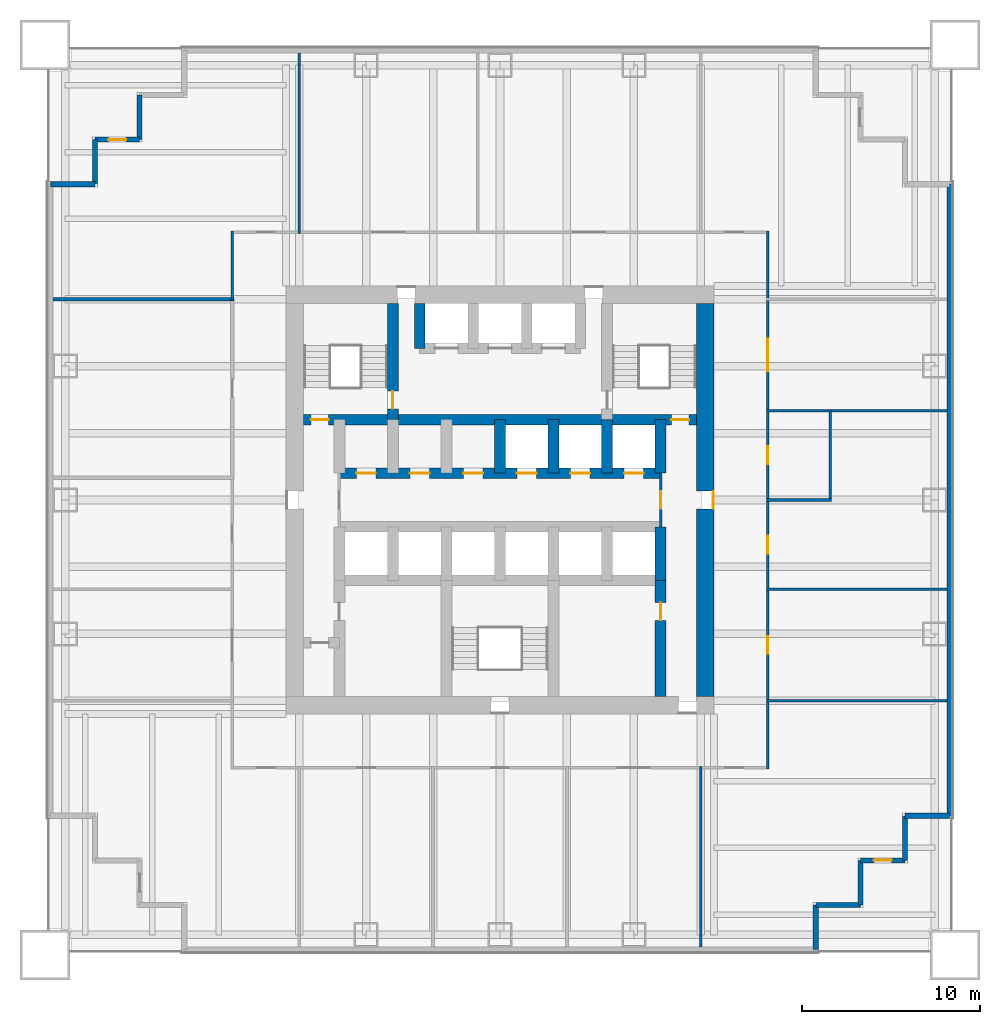
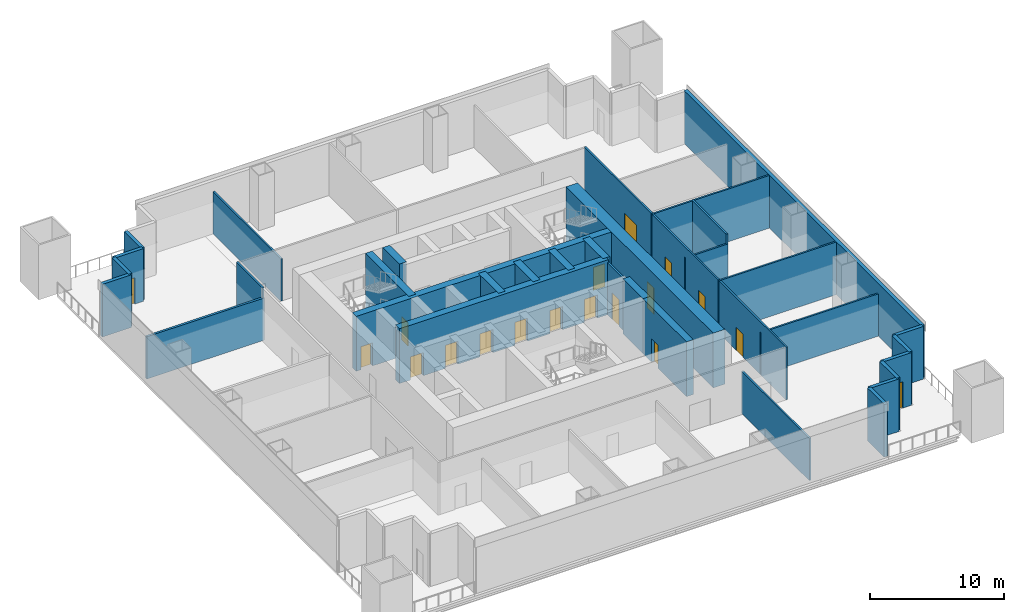
# One storey, part 3 of 6: 33 walls, 18 doors, 18 openings.
"""IFC4 building model written with IfcOpenShell, lengths in metres."""

from ifc_helpers import new_model, si_unit, direction, frame, frame_2d, origin, place, context, subcontext, project, spatial, rectangle, extrude, material, layer, layer_set, type_object, element, fill, save


model = new_model("IFC4")

# Units and contexts
model_context = context("Model", 3, precision=1e-05, world=origin(), true_north=direction((0.0, 1.0)))
body_context = subcontext(model_context, "Body", "Model", "MODEL_VIEW")
ifc_project = project(units=[si_unit("LENGTHUNIT", "METRE"), si_unit("AREAUNIT", "SQUARE_METRE"), si_unit("VOLUMEUNIT", "CUBIC_METRE"), si_unit("PLANEANGLEUNIT", "RADIAN"), si_unit("MASSUNIT", "GRAM", prefix="KILO")], contexts=[model_context])

# Site, building, storey
site_placement = place(None, origin())
site = spatial("IfcSite", under=ifc_project, at=site_placement, CompositionType="ELEMENT")
building_placement = place(site_placement, origin())
building = spatial("IfcBuilding", under=site, at=building_placement, Name="Tarangal Relay Tower", CompositionType="ELEMENT")
storey_placement = place(building_placement, frame((0.0, 0.0, 88.39990234375)))
storey = spatial("IfcBuildingStorey", under=building, at=storey_placement, Name="L17", CompositionType="ELEMENT", Elevation=88.39990234375)

# Wall
ifc_material_1 = material(Name="Two layers gypsum board each side on twin steel studs, mineral wool", Category="steel")
ifc_layer_1 = layer(ifc_material_1, 0.199951171875)
ifc_layer_set_1 = layer_set([ifc_layer_1], Name="Acoustic partition 200")
wall_type_1 = type_object("IfcWallType", Name="Acoustic partition 200", PredefinedType="PARTITIONING", material=ifc_layer_set_1)
wall_1_placement = place(storey_placement, frame((-25.050048828125, 11.25, 0.0), z_axis=(0.0, 0.0, 1.0), x_axis=(1.0, 0.0, 0.0)))
element("IfcWall", 1, at=wall_1_placement, inside=storey, type_object=wall_type_1, Name="Partition PT2 L17", PredefinedType="PARTITIONING", context=body_context, shape_type="SweptSolid", body=[
    extrude(rectangle(XDim=10.150146484375, YDim=0.199951171875, at=frame_2d((5.0751953125, 0.0))), origin(), (0.0, 0.0, 1.0), 3.852783203125),
])

# Wall, openings, doors
ifc_material_2 = material(Name="Concrete fc' 60 MPa", Category="concrete")
ifc_layer_2 = layer(ifc_material_2, 0.60009765625)
ifc_layer_set_2 = layer_set([ifc_layer_2], Name="Core inner wall 600")
wall_type_2 = type_object("IfcWallType", Name="Core inner wall 600", PredefinedType="SHEAR", material=ifc_layer_set_2)
wall_2_placement = place(storey_placement, frame((-11.0, 4.5, 0.0), z_axis=(0.0, 0.0, 1.0), x_axis=(1.0, 0.0, 0.0)))
wall_2 = element("IfcWall", 2, at=wall_2_placement, inside=storey, type_object=wall_type_2, Name="Core wall Y45 L17", PredefinedType="SHEAR", context=body_context, shape_type="SweptSolid", body=[
    extrude(rectangle(XDim=22.0, YDim=0.60009765625, at=frame_2d((11.0, 0.0))), origin(), (0.0, 0.0, 1.0), 5.0),
])
opening_1_placement = place(wall_2_placement, frame((0.39990234375, 0.0, 0.0)))
opening_1 = element("IfcOpeningElement", 3, at=opening_1_placement, cuts=wall_2, Name="Opening FD1", PredefinedType="OPENING", context=body_context, shape_type="SweptSolid", body=[
    extrude(rectangle(XDim=1.0, YDim=2.10009765625, at=frame_2d((0.5, 1.050048828125))), frame((0.0, 0.31005859375, 0.0), z_axis=(0.0, -1.0, 0.0), x_axis=(1.0, 0.0, 0.0)), (0.0, 0.0, 1.0), 0.6201171875),
])
opening_2_placement = place(wall_2_placement, frame((20.60009765625, 0.0, 0.0)))
opening_2 = element("IfcOpeningElement", 4, at=opening_2_placement, cuts=wall_2, Name="Opening FD1", PredefinedType="OPENING", context=body_context, shape_type="SweptSolid", body=[
    extrude(rectangle(XDim=1.0, YDim=2.10009765625, at=frame_2d((0.5, 1.050048828125))), frame((0.0, 0.31005859375, 0.0), z_axis=(0.0, -1.0, 0.0), x_axis=(1.0, 0.0, 0.0)), (0.0, 0.0, 1.0), 0.6201171875),
])
ifc_material_3 = material(Name="Steel door with hardwood frame", Category="steel")
door_type_1 = type_object("IfcDoorType", Name="Fire door 1000 x 2100", OperationType="SINGLE_SWING_LEFT", PredefinedType="DOOR", material=ifc_material_3)
door_1_placement = place(opening_1_placement, origin())
door_1 = element("IfcDoor", 5, at=door_1_placement, inside=storey, type_object=door_type_1, Name="Stair ST-A door from corridor L17", OperationType="SINGLE_SWING_LEFT", OverallHeight=2.10009765625, OverallWidth=1.0, PredefinedType="DOOR", context=body_context, shape_type="SweptSolid", body=[
    extrude(rectangle(XDim=1.0, YDim=2.10009765625, at=frame_2d((0.5, 1.050048828125))), frame((0.0, 0.02490234375, 0.0), z_axis=(0.0, -1.0, 0.0), x_axis=(1.0, 0.0, 0.0)), (0.0, 0.0, 1.0), 0.050048828125),
])
fill(opening_1, door_1)
door_2_placement = place(opening_2_placement, origin())
door_2 = element("IfcDoor", 6, at=door_2_placement, inside=storey, type_object=door_type_1, Name="Stair ST-B door from corridor L17", OperationType="SINGLE_SWING_LEFT", OverallHeight=2.10009765625, OverallWidth=1.0, PredefinedType="DOOR", context=body_context, shape_type="SweptSolid", body=[
    extrude(rectangle(XDim=1.0, YDim=2.10009765625, at=frame_2d((0.5, 1.050048828125))), frame((0.0, 0.02490234375, 0.0), z_axis=(0.0, -1.0, 0.0), x_axis=(1.0, 0.0, 0.0)), (0.0, 0.0, 1.0), 0.050048828125),
])
fill(opening_2, door_2)

wall_3_placement = place(storey_placement, frame((-9.0, 1.5, 0.0), z_axis=(0.0, 0.0, 1.0), x_axis=(1.0, 0.0, 0.0)))
wall_3 = element("IfcWall", 7, at=wall_3_placement, inside=storey, type_object=wall_type_2, Name="Core wall Y15 L17", PredefinedType="SHEAR", context=body_context, shape_type="SweptSolid", body=[
    extrude(rectangle(XDim=18.0, YDim=0.60009765625, at=frame_2d((9.0, 0.0))), origin(), (0.0, 0.0, 1.0), 5.0),
])
opening_3_placement = place(wall_3_placement, frame((9.949951171875, 0.0, 0.0)))
opening_3 = element("IfcOpeningElement", 8, at=opening_3_placement, cuts=wall_3, Name="Opening LD1", PredefinedType="OPENING", context=body_context, shape_type="SweptSolid", body=[
    extrude(rectangle(XDim=1.10009765625, YDim=2.10009765625, at=frame_2d((0.550048828125, 1.050048828125))), frame((0.0, 0.31005859375, 0.0), z_axis=(0.0, -1.0, 0.0), x_axis=(1.0, 0.0, 0.0)), (0.0, 0.0, 1.0), 0.6201171875),
])
opening_4_placement = place(wall_3_placement, frame((12.949951171875, 0.0, 0.0)))
opening_4 = element("IfcOpeningElement", 9, at=opening_4_placement, cuts=wall_3, Name="Opening LD1", PredefinedType="OPENING", context=body_context, shape_type="SweptSolid", body=[
    extrude(rectangle(XDim=1.10009765625, YDim=2.10009765625, at=frame_2d((0.550048828125, 1.050048828125))), frame((0.0, 0.31005859375, 0.0), z_axis=(0.0, -1.0, 0.0), x_axis=(1.0, 0.0, 0.0)), (0.0, 0.0, 1.0), 0.6201171875),
])
opening_5_placement = place(wall_3_placement, frame((15.949951171875, 0.0, 0.0)))
opening_5 = element("IfcOpeningElement", 10, at=opening_5_placement, cuts=wall_3, Name="Opening LD1", PredefinedType="OPENING", context=body_context, shape_type="SweptSolid", body=[
    extrude(rectangle(XDim=1.10009765625, YDim=2.10009765625, at=frame_2d((0.550048828125, 1.050048828125))), frame((0.0, 0.31005859375, 0.0), z_axis=(0.0, -1.0, 0.0), x_axis=(1.0, 0.0, 0.0)), (0.0, 0.0, 1.0), 0.6201171875),
])
opening_6_placement = place(wall_3_placement, frame((0.949951171875, 0.0, 0.0)))
opening_6 = element("IfcOpeningElement", 11, at=opening_6_placement, cuts=wall_3, Name="Opening D4", PredefinedType="OPENING", context=body_context, shape_type="SweptSolid", body=[
    extrude(rectangle(XDim=1.10009765625, YDim=2.10009765625, at=frame_2d((0.550048828125, 1.050048828125))), frame((0.0, 0.31005859375, 0.0), z_axis=(0.0, -1.0, 0.0), x_axis=(1.0, 0.0, 0.0)), (0.0, 0.0, 1.0), 0.6201171875),
])
opening_7_placement = place(wall_3_placement, frame((3.949951171875, 0.0, 0.0)))
opening_7 = element("IfcOpeningElement", 12, at=opening_7_placement, cuts=wall_3, Name="Opening D4", PredefinedType="OPENING", context=body_context, shape_type="SweptSolid", body=[
    extrude(rectangle(XDim=1.10009765625, YDim=2.10009765625, at=frame_2d((0.550048828125, 1.050048828125))), frame((0.0, 0.31005859375, 0.0), z_axis=(0.0, -1.0, 0.0), x_axis=(1.0, 0.0, 0.0)), (0.0, 0.0, 1.0), 0.6201171875),
])
opening_8_placement = place(wall_3_placement, frame((6.949951171875, 0.0, 0.0)))
opening_8 = element("IfcOpeningElement", 13, at=opening_8_placement, cuts=wall_3, Name="Opening D4", PredefinedType="OPENING", context=body_context, shape_type="SweptSolid", body=[
    extrude(rectangle(XDim=1.10009765625, YDim=2.10009765625, at=frame_2d((0.550048828125, 1.050048828125))), frame((0.0, 0.31005859375, 0.0), z_axis=(0.0, -1.0, 0.0), x_axis=(1.0, 0.0, 0.0)), (0.0, 0.0, 1.0), 0.6201171875),
])
door_type_2 = type_object("IfcDoorType", Name="Core room door 1100 x 2100", OperationType="SINGLE_SWING_RIGHT", PredefinedType="DOOR", material=ifc_material_3)
door_3_placement = place(opening_6_placement, origin())
door_3 = element("IfcDoor", 14, at=door_3_placement, inside=storey, type_object=door_type_2, Name="Door D4 to staff wc L17-D1", OperationType="SINGLE_SWING_RIGHT", OverallHeight=2.10009765625, OverallWidth=1.10009765625, PredefinedType="DOOR", context=body_context, shape_type="SweptSolid", body=[
    extrude(rectangle(XDim=1.10009765625, YDim=2.10009765625, at=frame_2d((0.550048828125, 1.050048828125))), frame((0.0, 0.02490234375, 0.0), z_axis=(0.0, -1.0, 0.0), x_axis=(1.0, 0.0, 0.0)), (0.0, 0.0, 1.0), 0.050048828125),
])
fill(opening_6, door_3)
door_4_placement = place(opening_7_placement, origin())
door_4 = element("IfcDoor", 15, at=door_4_placement, inside=storey, type_object=door_type_2, Name="Door D4 to cleaner's store L17-D2", OperationType="SINGLE_SWING_RIGHT", OverallHeight=2.10009765625, OverallWidth=1.10009765625, PredefinedType="DOOR", context=body_context, shape_type="SweptSolid", body=[
    extrude(rectangle(XDim=1.10009765625, YDim=2.10009765625, at=frame_2d((0.550048828125, 1.050048828125))), frame((0.0, 0.02490234375, 0.0), z_axis=(0.0, -1.0, 0.0), x_axis=(1.0, 0.0, 0.0)), (0.0, 0.0, 1.0), 0.050048828125),
])
fill(opening_7, door_4)
door_5_placement = place(opening_8_placement, origin())
door_5 = element("IfcDoor", 16, at=door_5_placement, inside=storey, type_object=door_type_2, Name="Door D4 to it room L17-D3", OperationType="SINGLE_SWING_RIGHT", OverallHeight=2.10009765625, OverallWidth=1.10009765625, PredefinedType="DOOR", context=body_context, shape_type="SweptSolid", body=[
    extrude(rectangle(XDim=1.10009765625, YDim=2.10009765625, at=frame_2d((0.550048828125, 1.050048828125))), frame((0.0, 0.02490234375, 0.0), z_axis=(0.0, -1.0, 0.0), x_axis=(1.0, 0.0, 0.0)), (0.0, 0.0, 1.0), 0.050048828125),
])
fill(opening_8, door_5)
door_type_3 = type_object("IfcDoorType", Name="Lift landing door 1100 x 2100", OperationType="SLIDING_TO_LEFT", PredefinedType="DOOR", material=ifc_material_3)
door_6_placement = place(opening_3_placement, origin())
door_6 = element("IfcDoor", 17, at=door_6_placement, inside=storey, type_object=door_type_3, Name="Lift T1 landing door L17", OperationType="SLIDING_TO_LEFT", OverallHeight=2.10009765625, OverallWidth=1.10009765625, PredefinedType="DOOR", context=body_context, shape_type="SweptSolid", body=[
    extrude(rectangle(XDim=1.10009765625, YDim=2.10009765625, at=frame_2d((0.550048828125, 1.050048828125))), frame((0.0, 0.02490234375, 0.0), z_axis=(0.0, -1.0, 0.0), x_axis=(1.0, 0.0, 0.0)), (0.0, 0.0, 1.0), 0.050048828125),
])
fill(opening_3, door_6)
door_7_placement = place(opening_4_placement, origin())
door_7 = element("IfcDoor", 18, at=door_7_placement, inside=storey, type_object=door_type_3, Name="Lift T2 landing door L17", OperationType="SLIDING_TO_LEFT", OverallHeight=2.10009765625, OverallWidth=1.10009765625, PredefinedType="DOOR", context=body_context, shape_type="SweptSolid", body=[
    extrude(rectangle(XDim=1.10009765625, YDim=2.10009765625, at=frame_2d((0.550048828125, 1.050048828125))), frame((0.0, 0.02490234375, 0.0), z_axis=(0.0, -1.0, 0.0), x_axis=(1.0, 0.0, 0.0)), (0.0, 0.0, 1.0), 0.050048828125),
])
fill(opening_4, door_7)
door_8_placement = place(opening_5_placement, origin())
door_8 = element("IfcDoor", 19, at=door_8_placement, inside=storey, type_object=door_type_3, Name="Lift T3 landing door L17", OperationType="SLIDING_TO_LEFT", OverallHeight=2.10009765625, OverallWidth=1.10009765625, PredefinedType="DOOR", context=body_context, shape_type="SweptSolid", body=[
    extrude(rectangle(XDim=1.10009765625, YDim=2.10009765625, at=frame_2d((0.550048828125, 1.050048828125))), frame((0.0, 0.02490234375, 0.0), z_axis=(0.0, -1.0, 0.0), x_axis=(1.0, 0.0, 0.0)), (0.0, 0.0, 1.0), 0.050048828125),
])
fill(opening_5, door_8)

# Walls
for number, where, z_axis, x_axis, name in (
    (20, (9.0, 1.5, 0.0), (0.0, 0.0, 1.0), (0.0, 1.0, 0.0), "Core wall X9N L17"),
    (21, (9.0, -4.5, 0.0), (0.0, 0.0, 1.0), (0.0, 1.0, 0.0), "Core wall X9S L17"),
    (22, (0.0, 1.5, 0.0), (0.0, 0.0, 1.0), (0.0, 1.0, 0.0), "Core wall X0N L17"),
    (23, (3.0, 1.5, 0.0), (0.0, 0.0, 1.0), (0.0, 1.0, 0.0), "Core wall X3N L17"),
    (24, (6.0, 1.5, 0.0), (0.0, 0.0, 1.0), (0.0, 1.0, 0.0), "Core wall X6N L17"),
):
    element("IfcWall", number, at=place(storey_placement, frame(where, z_axis=z_axis, x_axis=x_axis)), inside=storey, type_object=wall_type_2, Name=name, PredefinedType="SHEAR", context=body_context, shape_type="SweptSolid", body=[
        extrude(rectangle(XDim=3.0, YDim=0.60009765625, at=frame_2d((1.5, 0.0))), origin(), (0.0, 0.0, 1.0), 5.0),
    ])

# Wall, opening, door
wall_4_placement = place(storey_placement, frame((-6.0, 4.5, 0.0), z_axis=(0.0, 0.0, 1.0), x_axis=(0.0, 1.0, 0.0)))
wall_4 = element("IfcWall", 25, at=wall_4_placement, inside=storey, type_object=wall_type_2, Name="Core wall XM6 L17", PredefinedType="SHEAR", context=body_context, shape_type="SweptSolid", body=[
    extrude(rectangle(XDim=6.5, YDim=0.60009765625, at=frame_2d((3.25, 0.0))), origin(), (0.0, 0.0, 1.0), 5.0),
])
opening_9_placement = place(wall_4_placement, frame((0.60009765625, 0.0, 0.0)))
opening_9 = element("IfcOpeningElement", 26, at=opening_9_placement, cuts=wall_4, Name="Opening FD1", PredefinedType="OPENING", context=body_context, shape_type="SweptSolid", body=[
    extrude(rectangle(XDim=1.0, YDim=2.10009765625, at=frame_2d((0.5, 1.050048828125))), frame((0.0, 0.31005859375, 0.0), z_axis=(0.0, -1.0, 0.0), x_axis=(1.0, 0.0, 0.0)), (0.0, 0.0, 1.0), 0.6201171875),
])
door_9_placement = place(opening_9_placement, origin())
door_9 = element("IfcDoor", 27, at=door_9_placement, inside=storey, type_object=door_type_1, Name="Stair ST-A door from fire-fighting lobby L17", OperationType="SINGLE_SWING_LEFT", OverallHeight=2.10009765625, OverallWidth=1.0, PredefinedType="DOOR", context=body_context, shape_type="SweptSolid", body=[
    extrude(rectangle(XDim=1.0, YDim=2.10009765625, at=frame_2d((0.5, 1.050048828125))), frame((0.0, 0.02490234375, 0.0), z_axis=(0.0, -1.0, 0.0), x_axis=(1.0, 0.0, 0.0)), (0.0, 0.0, 1.0), 0.050048828125),
])
fill(opening_9, door_9)

# Wall
wall_5_placement = place(storey_placement, frame((-4.5, 8.5, 0.0), z_axis=(0.0, 0.0, 1.0), x_axis=(0.0, 1.0, 0.0)))
element("IfcWall", 28, at=wall_5_placement, inside=storey, type_object=wall_type_2, Name="Core wall XM45 L17", PredefinedType="SHEAR", context=body_context, shape_type="SweptSolid", body=[
    extrude(rectangle(XDim=2.5, YDim=0.60009765625, at=frame_2d((1.25, 0.0))), origin(), (0.0, 0.0, 1.0), 5.0),
])

# Wall, opening, door
wall_6_placement = place(storey_placement, frame((9.0, -11.0, 0.0), z_axis=(0.0, 0.0, 1.0), x_axis=(0.0, 1.0, 0.0)))
wall_6 = element("IfcWall", 29, at=wall_6_placement, inside=storey, type_object=wall_type_2, Name="Core wall X9W L17", PredefinedType="SHEAR", context=body_context, shape_type="SweptSolid", body=[
    extrude(rectangle(XDim=6.5, YDim=0.60009765625, at=frame_2d((3.25, 0.0))), origin(), (0.0, 0.0, 1.0), 5.0),
])
opening_10_placement = place(wall_6_placement, frame((4.25, 0.0, 0.0)))
opening_10 = element("IfcOpeningElement", 30, at=opening_10_placement, cuts=wall_6, Name="Opening D1", PredefinedType="OPENING", context=body_context, shape_type="SweptSolid", body=[
    extrude(rectangle(XDim=1.0, YDim=2.10009765625, at=frame_2d((0.5, 1.050048828125))), frame((0.0, 0.31005859375, 0.0), z_axis=(0.0, -1.0, 0.0), x_axis=(1.0, 0.0, 0.0)), (0.0, 0.0, 1.0), 0.6201171875),
])
ifc_material_4 = material(Name="Hardwood door", Category="wood")
door_type_4 = type_object("IfcDoorType", Name="WC door 1000 x 2100", OperationType="SINGLE_SWING_LEFT", PredefinedType="DOOR", material=ifc_material_4)
door_10_placement = place(opening_10_placement, origin())
door_10 = element("IfcDoor", 31, at=door_10_placement, inside=storey, type_object=door_type_4, Name="Female WC door L17", OperationType="SINGLE_SWING_LEFT", OverallHeight=2.10009765625, OverallWidth=1.0, PredefinedType="DOOR", context=body_context, shape_type="SweptSolid", body=[
    extrude(rectangle(XDim=1.0, YDim=2.10009765625, at=frame_2d((0.5, 1.050048828125))), frame((0.0, 0.02490234375, 0.0), z_axis=(0.0, -1.0, 0.0), x_axis=(1.0, 0.0, 0.0)), (0.0, 0.0, 1.0), 0.050048828125),
])
fill(opening_10, door_10)

ifc_layer_3 = layer(ifc_material_2, 1.0)
ifc_layer_set_3 = layer_set([ifc_layer_3], Name="Core wall 1000")
wall_type_3 = type_object("IfcWallType", Name="Core wall 1000", PredefinedType="SHEAR", material=ifc_layer_set_3)
wall_7_placement = place(storey_placement, frame((11.5, 11.0, 0.0), z_axis=(0.0, 0.0, 1.0), x_axis=(0.0, -1.0, 0.0)))
wall_7 = element("IfcWall", 32, at=wall_7_placement, inside=storey, type_object=wall_type_3, Name="Core wall E L17", PredefinedType="SHEAR", context=body_context, shape_type="SweptSolid", body=[
    extrude(rectangle(XDim=22.0, YDim=1.0, at=frame_2d((11.0, 0.0))), origin(), (0.0, 0.0, 1.0), 5.0),
])
opening_11_placement = place(wall_7_placement, frame((10.5, 0.0, 0.0)))
opening_11 = element("IfcOpeningElement", 33, at=opening_11_placement, cuts=wall_7, Name="Opening FD3", PredefinedType="OPENING", context=body_context, shape_type="SweptSolid", body=[
    extrude(rectangle(XDim=1.0, YDim=2.39990234375, at=frame_2d((0.5, 1.199951171875))), frame((0.0, 0.510009765625, 0.0), z_axis=(0.0, -1.0, 0.0), x_axis=(1.0, 0.0, 0.0)), (0.0, 0.0, 1.0), 1.02001953125),
])
door_type_5 = type_object("IfcDoorType", Name="Fire door 1000 x 2400 core entry", OperationType="SINGLE_SWING_RIGHT", PredefinedType="DOOR", material=ifc_material_3)
door_11_placement = place(opening_11_placement, origin())
door_11 = element("IfcDoor", 34, at=door_11_placement, inside=storey, type_object=door_type_5, Name="Core entry door east L17", OperationType="SINGLE_SWING_RIGHT", OverallHeight=2.39990234375, OverallWidth=1.0, PredefinedType="DOOR", context=body_context, shape_type="SweptSolid", body=[
    extrude(rectangle(XDim=1.0, YDim=2.39990234375, at=frame_2d((0.5, 1.199951171875))), frame((0.0, 0.48486328125, 0.0), z_axis=(0.0, -1.0, 0.0), x_axis=(1.0, 0.0, 0.0)), (0.0, 0.0, 1.0), 0.050048828125),
])
fill(opening_11, door_11)

# Walls
ifc_material_5 = material(Name="Insulated precast concrete fc' 40 MPa", Category="concrete")
ifc_layer_4 = layer(ifc_material_5, 0.300048828125)
ifc_layer_set_4 = layer_set([ifc_layer_4], Name="Insulated precast concrete fc' 40 MPa")
wall_type_4 = type_object("IfcWallType", Name="Facade wall precast 300", PredefinedType="SOLIDWALL", material=ifc_layer_set_4)
wall_8_placement = place(storey_placement, frame((25.199951171875, 17.699951171875, 0.0), z_axis=(0.0, 0.0, 1.0), x_axis=(0.0, -1.0, 0.0)))
element("IfcWall", 35, at=wall_8_placement, inside=storey, type_object=wall_type_4, Name="Facade wall E facade L17", PredefinedType="SOLIDWALL", context=body_context, shape_type="SweptSolid", body=[
    extrude(rectangle(XDim=35.39990234375, YDim=0.300048828125, at=frame_2d((17.699951171875, 0.0))), origin(), (0.0, 0.0, 1.0), 4.800048828125),
])
for number, where, z_axis, x_axis, name in (
    (36, (25.199951171875, -17.699951171875, 0.0), (0.0, 0.0, 1.0), (-1.0, 0.0, 0.0), "Facade wall E facade L17"),
    (37, (22.699951171875, -17.699951171875, 0.0), (0.0, 0.0, 1.0), (0.0, -1.0, 0.0), "Facade wall E facade L17"),
):
    element("IfcWall", number, at=place(storey_placement, frame(where, z_axis=z_axis, x_axis=x_axis)), inside=storey, type_object=wall_type_4, Name=name, PredefinedType="SOLIDWALL", context=body_context, shape_type="SweptSolid", body=[
        extrude(rectangle(XDim=2.5, YDim=0.300048828125, at=frame_2d((1.25, 0.0))), origin(), (0.0, 0.0, 1.0), 4.800048828125),
    ])

# Wall, opening, door
wall_9_placement = place(storey_placement, frame((22.699951171875, -20.199951171875, 0.0), z_axis=(0.0, 0.0, 1.0), x_axis=(-1.0, 0.0, 0.0)))
wall_9 = element("IfcWall", 38, at=wall_9_placement, inside=storey, type_object=wall_type_4, Name="Facade wall E facade L17", PredefinedType="SOLIDWALL", context=body_context, shape_type="SweptSolid", body=[
    extrude(rectangle(XDim=2.5, YDim=0.300048828125, at=frame_2d((1.25, 0.0))), origin(), (0.0, 0.0, 1.0), 4.800048828125),
])
opening_12_placement = place(wall_9_placement, frame((0.75, 0.0, 0.0)))
opening_12 = element("IfcOpeningElement", 39, at=opening_12_placement, cuts=wall_9, Name="Opening TD1", PredefinedType="OPENING", context=body_context, shape_type="SweptSolid", body=[
    extrude(rectangle(XDim=1.0, YDim=2.39990234375, at=frame_2d((0.5, 1.199951171875))), frame((0.0, 0.159912109375, 0.0), z_axis=(0.0, -1.0, 0.0), x_axis=(1.0, 0.0, 0.0)), (0.0, 0.0, 1.0), 0.320068359375),
])
ifc_material_6 = material(Name="Aluminium glazed door", Category="aluminium")
door_type_6 = type_object("IfcDoorType", Name="Terrace door 1000 x 2400", OperationType="SINGLE_SWING_RIGHT", PredefinedType="DOOR", material=ifc_material_6)
door_12_placement = place(opening_12_placement, origin())
door_12 = element("IfcDoor", 40, at=door_12_placement, inside=storey, type_object=door_type_6, Name="Terrace door TD1 SE L17", OperationType="SINGLE_SWING_RIGHT", OverallHeight=2.39990234375, OverallWidth=1.0, PredefinedType="DOOR", context=body_context, shape_type="SweptSolid", body=[
    extrude(rectangle(XDim=1.0, YDim=2.39990234375, at=frame_2d((0.5, 1.199951171875))), frame((0.0, 0.02490234375, 0.0), z_axis=(0.0, -1.0, 0.0), x_axis=(1.0, 0.0, 0.0)), (0.0, 0.0, 1.0), 0.050048828125),
])
fill(opening_12, door_12)

# Walls
for number, where, z_axis, x_axis, name in (
    (41, (20.199951171875, -20.199951171875, 0.0), (0.0, 0.0, 1.0), (0.0, -1.0, 0.0), "Facade wall E facade L17"),
    (42, (20.199951171875, -22.699951171875, 0.0), (0.0, 0.0, 1.0), (-1.0, 0.0, 0.0), "Facade wall E facade L17"),
    (43, (17.699951171875, -22.699951171875, 0.0), (0.0, 0.0, 1.0), (0.0, -1.0, 0.0), "Facade wall E facade L17"),
    (44, (-25.199951171875, 17.699951171875, 0.0), (0.0, 0.0, 1.0), (1.0, 0.0, 0.0), "Facade wall W facade L17"),
    (45, (-22.699951171875, 17.699951171875, 0.0), (0.0, 0.0, 1.0), (0.0, 1.0, 0.0), "Facade wall W facade L17"),
):
    element("IfcWall", number, at=place(storey_placement, frame(where, z_axis=z_axis, x_axis=x_axis)), inside=storey, type_object=wall_type_4, Name=name, PredefinedType="SOLIDWALL", context=body_context, shape_type="SweptSolid", body=[
        extrude(rectangle(XDim=2.5, YDim=0.300048828125, at=frame_2d((1.25, 0.0))), origin(), (0.0, 0.0, 1.0), 4.800048828125),
    ])

# Wall, opening, door
wall_10_placement = place(storey_placement, frame((-22.699951171875, 20.199951171875, 0.0), z_axis=(0.0, 0.0, 1.0), x_axis=(1.0, 0.0, 0.0)))
wall_10 = element("IfcWall", 46, at=wall_10_placement, inside=storey, type_object=wall_type_4, Name="Facade wall W facade L17", PredefinedType="SOLIDWALL", context=body_context, shape_type="SweptSolid", body=[
    extrude(rectangle(XDim=2.5, YDim=0.300048828125, at=frame_2d((1.25, 0.0))), origin(), (0.0, 0.0, 1.0), 4.800048828125),
])
opening_13_placement = place(wall_10_placement, frame((0.75, 0.0, 0.0)))
opening_13 = element("IfcOpeningElement", 47, at=opening_13_placement, cuts=wall_10, Name="Opening TD1", PredefinedType="OPENING", context=body_context, shape_type="SweptSolid", body=[
    extrude(rectangle(XDim=1.0, YDim=2.39990234375, at=frame_2d((0.5, 1.199951171875))), frame((0.0, 0.159912109375, 0.0), z_axis=(0.0, -1.0, 0.0), x_axis=(1.0, 0.0, 0.0)), (0.0, 0.0, 1.0), 0.320068359375),
])
door_13_placement = place(opening_13_placement, origin())
door_13 = element("IfcDoor", 48, at=door_13_placement, inside=storey, type_object=door_type_6, Name="Terrace door TD1 NW L17", OperationType="SINGLE_SWING_RIGHT", OverallHeight=2.39990234375, OverallWidth=1.0, PredefinedType="DOOR", context=body_context, shape_type="SweptSolid", body=[
    extrude(rectangle(XDim=1.0, YDim=2.39990234375, at=frame_2d((0.5, 1.199951171875))), frame((0.0, 0.02490234375, 0.0), z_axis=(0.0, -1.0, 0.0), x_axis=(1.0, 0.0, 0.0)), (0.0, 0.0, 1.0), 0.050048828125),
])
fill(opening_13, door_13)

# Walls
wall_11_placement = place(storey_placement, frame((-20.199951171875, 20.199951171875, 0.0), z_axis=(0.0, 0.0, 1.0), x_axis=(0.0, 1.0, 0.0)))
element("IfcWall", 49, at=wall_11_placement, inside=storey, type_object=wall_type_4, Name="Facade wall W facade L17", PredefinedType="SOLIDWALL", context=body_context, shape_type="SweptSolid", body=[
    extrude(rectangle(XDim=2.5, YDim=0.300048828125, at=frame_2d((1.25, 0.0))), origin(), (0.0, 0.0, 1.0), 4.800048828125),
])
ifc_material_7 = material(Name="Gypsum board on steel studs", Category="steel")
ifc_layer_5 = layer(ifc_material_7, 0.14990234375)
ifc_layer_set_5 = layer_set([ifc_layer_5], Name="Partition 150")
wall_type_5 = type_object("IfcWallType", Name="Partition 150", PredefinedType="PARTITIONING", material=ifc_layer_set_5)
wall_12_placement = place(storey_placement, frame((14.925048828125, -11.25, 0.0), z_axis=(0.0, 0.0, 1.0), x_axis=(1.0, 0.0, 0.0)))
element("IfcWall", 50, at=wall_12_placement, inside=storey, type_object=wall_type_5, Name="Partition PT1 L17", PredefinedType="PARTITIONING", context=body_context, shape_type="SweptSolid", body=[
    extrude(rectangle(XDim=10.125, YDim=0.14990234375, at=frame_2d((5.0625, 0.0))), origin(), (0.0, 0.0, 1.0), 3.852783203125),
])
wall_13_placement = place(storey_placement, frame((14.925048828125, -5.0, 0.0), z_axis=(0.0, 0.0, 1.0), x_axis=(1.0, 0.0, 0.0)))
element("IfcWall", 51, at=wall_13_placement, inside=storey, type_object=wall_type_5, Name="Partition PT1 L17", PredefinedType="PARTITIONING", context=body_context, shape_type="SweptSolid", body=[
    extrude(rectangle(XDim=10.125, YDim=0.14990234375, at=frame_2d((5.0625, 0.0))), origin(), (0.0, 0.0, 1.0), 4.800048828125),
])
wall_14_placement = place(storey_placement, frame((14.925048828125, 0.0, 0.0), z_axis=(0.0, 0.0, 1.0), x_axis=(1.0, 0.0, 0.0)))
element("IfcWall", 52, at=wall_14_placement, inside=storey, type_object=wall_type_5, Name="Partition PT1 L17", PredefinedType="PARTITIONING", context=body_context, shape_type="SweptSolid", body=[
    extrude(rectangle(XDim=3.64990234375, YDim=0.14990234375, at=frame_2d((1.824951171875, 0.0))), origin(), (0.0, 0.0, 1.0), 3.852783203125),
])
wall_15_placement = place(storey_placement, frame((14.925048828125, 5.0, 0.0), z_axis=(0.0, 0.0, 1.0), x_axis=(1.0, 0.0, 0.0)))
element("IfcWall", 53, at=wall_15_placement, inside=storey, type_object=wall_type_5, Name="Partition PT1 L17", PredefinedType="PARTITIONING", context=body_context, shape_type="SweptSolid", body=[
    extrude(rectangle(XDim=10.125, YDim=0.14990234375, at=frame_2d((5.0625, 0.0))), origin(), (0.0, 0.0, 1.0), 4.800048828125),
])
wall_16_placement = place(storey_placement, frame((-15.0, 11.175048828125, 0.0), z_axis=(0.0, 0.0, 1.0), x_axis=(0.0, 1.0, 0.0)))
element("IfcWall", 54, at=wall_16_placement, inside=storey, type_object=wall_type_5, Name="Partition PT1 L17", PredefinedType="PARTITIONING", context=body_context, shape_type="SweptSolid", body=[
    extrude(rectangle(XDim=3.89990234375, YDim=0.14990234375, at=frame_2d((1.949951171875, 0.0))), origin(), (0.0, 0.0, 1.0), 4.800048828125),
])
for number, where, z_axis, x_axis, name in (
    (55, (-11.25, 14.925048828125, 0.0), (0.0, 0.0, 1.0), (0.0, 1.0, 0.0), "Partition PT1 L17"),
    (56, (11.25, -25.050048828125, 0.0), (0.0, 0.0, 1.0), (0.0, 1.0, 0.0), "Partition PT1 L17"),
):
    element("IfcWall", number, at=place(storey_placement, frame(where, z_axis=z_axis, x_axis=x_axis)), inside=storey, type_object=wall_type_5, Name=name, PredefinedType="PARTITIONING", context=body_context, shape_type="SweptSolid", body=[
        extrude(rectangle(XDim=10.125, YDim=0.14990234375, at=frame_2d((5.0625, 0.0))), origin(), (0.0, 0.0, 1.0), 3.852783203125),
    ])

# Wall, openings, doors
wall_17_placement = place(storey_placement, frame((15.0, -15.074951171875, 0.0), z_axis=(0.0, 0.0, 1.0), x_axis=(0.0, 1.0, 0.0)))
wall_17 = element("IfcWall", 57, at=wall_17_placement, inside=storey, type_object=wall_type_5, Name="Partition PT1 L17", PredefinedType="PARTITIONING", context=body_context, shape_type="SweptSolid", body=[
    extrude(rectangle(XDim=30.14990234375, YDim=0.14990234375, at=frame_2d((15.074951171875, 0.0))), origin(), (0.0, 0.0, 1.0), 4.800048828125),
])
opening_14_placement = place(wall_17_placement, frame((22.300048828125, 0.0, 0.0)))
opening_14 = element("IfcOpeningElement", 58, at=opening_14_placement, cuts=wall_17, Name="Opening DD1", PredefinedType="OPENING", context=body_context, shape_type="SweptSolid", body=[
    extrude(rectangle(XDim=1.800048828125, YDim=2.39990234375, at=frame_2d((0.89990234375, 1.199951171875))), frame((0.0, 0.0849609375, 0.0), z_axis=(0.0, -1.0, 0.0), x_axis=(1.0, 0.0, 0.0)), (0.0, 0.0, 1.0), 0.169921875),
])
opening_15_placement = place(wall_17_placement, frame((17.074951171875, 0.0, 0.0)))
opening_15 = element("IfcOpeningElement", 59, at=opening_15_placement, cuts=wall_17, Name="Opening D2", PredefinedType="OPENING", context=body_context, shape_type="SweptSolid", body=[
    extrude(rectangle(XDim=1.0, YDim=2.10009765625, at=frame_2d((0.5, 1.050048828125))), frame((0.0, 0.0849609375, 0.0), z_axis=(0.0, -1.0, 0.0), x_axis=(1.0, 0.0, 0.0)), (0.0, 0.0, 1.0), 0.169921875),
])
opening_16_placement = place(wall_17_placement, frame((12.074951171875, 0.0, 0.0)))
opening_16 = element("IfcOpeningElement", 60, at=opening_16_placement, cuts=wall_17, Name="Opening D2", PredefinedType="OPENING", context=body_context, shape_type="SweptSolid", body=[
    extrude(rectangle(XDim=1.0, YDim=2.10009765625, at=frame_2d((0.5, 1.050048828125))), frame((0.0, 0.0849609375, 0.0), z_axis=(0.0, -1.0, 0.0), x_axis=(1.0, 0.0, 0.0)), (0.0, 0.0, 1.0), 0.169921875),
])
opening_17_placement = place(wall_17_placement, frame((6.449951171875, 0.0, 0.0)))
opening_17 = element("IfcOpeningElement", 61, at=opening_17_placement, cuts=wall_17, Name="Opening D2", PredefinedType="OPENING", context=body_context, shape_type="SweptSolid", body=[
    extrude(rectangle(XDim=1.0, YDim=2.10009765625, at=frame_2d((0.5, 1.050048828125))), frame((0.0, 0.0849609375, 0.0), z_axis=(0.0, -1.0, 0.0), x_axis=(1.0, 0.0, 0.0)), (0.0, 0.0, 1.0), 0.169921875),
])
door_type_7 = type_object("IfcDoorType", Name="Door 1000 x 2100", OperationType="SINGLE_SWING_LEFT", PredefinedType="DOOR", material=ifc_material_4)
door_14_placement = place(opening_15_placement, origin())
door_14 = element("IfcDoor", 62, at=door_14_placement, inside=storey, type_object=door_type_7, Name="Door D2 to customer meeting room L17-05", OperationType="SINGLE_SWING_LEFT", OverallHeight=2.10009765625, OverallWidth=1.0, PredefinedType="DOOR", context=body_context, shape_type="SweptSolid", body=[
    extrude(rectangle(XDim=1.0, YDim=2.10009765625, at=frame_2d((0.5, 1.050048828125))), frame((0.0, 0.02490234375, 0.0), z_axis=(0.0, -1.0, 0.0), x_axis=(1.0, 0.0, 0.0)), (0.0, 0.0, 1.0), 0.050048828125),
])
fill(opening_15, door_14)
door_15_placement = place(opening_16_placement, origin())
door_15 = element("IfcDoor", 63, at=door_15_placement, inside=storey, type_object=door_type_7, Name="Door D2 to customer office L17-06", OperationType="SINGLE_SWING_LEFT", OverallHeight=2.10009765625, OverallWidth=1.0, PredefinedType="DOOR", context=body_context, shape_type="SweptSolid", body=[
    extrude(rectangle(XDim=1.0, YDim=2.10009765625, at=frame_2d((0.5, 1.050048828125))), frame((0.0, 0.02490234375, 0.0), z_axis=(0.0, -1.0, 0.0), x_axis=(1.0, 0.0, 0.0)), (0.0, 0.0, 1.0), 0.050048828125),
])
fill(opening_16, door_15)
door_16_placement = place(opening_17_placement, origin())
door_16 = element("IfcDoor", 64, at=door_16_placement, inside=storey, type_object=door_type_7, Name="Door D2 to rack staging room L17-07", OperationType="SINGLE_SWING_LEFT", OverallHeight=2.10009765625, OverallWidth=1.0, PredefinedType="DOOR", context=body_context, shape_type="SweptSolid", body=[
    extrude(rectangle(XDim=1.0, YDim=2.10009765625, at=frame_2d((0.5, 1.050048828125))), frame((0.0, 0.02490234375, 0.0), z_axis=(0.0, -1.0, 0.0), x_axis=(1.0, 0.0, 0.0)), (0.0, 0.0, 1.0), 0.050048828125),
])
fill(opening_17, door_16)
door_type_8 = type_object("IfcDoorType", Name="Equipment double door 1800 x 2400", OperationType="DOUBLE_DOOR_SINGLE_SWING", PredefinedType="DOOR", material=ifc_material_3)
door_17_placement = place(opening_14_placement, origin())
door_17 = element("IfcDoor", 65, at=door_17_placement, inside=storey, type_object=door_type_8, Name="Door DD1 to network equipment room L17-04", OperationType="DOUBLE_DOOR_SINGLE_SWING", OverallHeight=2.39990234375, OverallWidth=1.800048828125, PredefinedType="DOOR", context=body_context, shape_type="SweptSolid", body=[
    extrude(rectangle(XDim=1.800048828125, YDim=2.39990234375, at=frame_2d((0.89990234375, 1.199951171875))), frame((0.0, 0.02490234375, 0.0), z_axis=(0.0, -1.0, 0.0), x_axis=(1.0, 0.0, 0.0)), (0.0, 0.0, 1.0), 0.050048828125),
])
fill(opening_14, door_17)

# Wall
wall_18_placement = place(storey_placement, frame((18.5, -0.074951171875, 0.0), z_axis=(0.0, 0.0, 1.0), x_axis=(0.0, 1.0, 0.0)))
element("IfcWall", 66, at=wall_18_placement, inside=storey, type_object=wall_type_5, Name="Partition PT1 L17", PredefinedType="PARTITIONING", context=body_context, shape_type="SweptSolid", body=[
    extrude(rectangle(XDim=5.14990234375, YDim=0.14990234375, at=frame_2d((2.574951171875, 0.0))), origin(), (0.0, 0.0, 1.0), 4.800048828125),
])

# Wall, opening, door
wall_19_placement = place(storey_placement, frame((9.0, -1.5, 0.0), z_axis=(0.0, 0.0, 1.0), x_axis=(0.0, 1.0, 0.0)))
wall_19 = element("IfcWall", 67, at=wall_19_placement, inside=storey, type_object=wall_type_5, Name="Partition PT1 L17", PredefinedType="PARTITIONING", context=body_context, shape_type="SweptSolid", body=[
    extrude(rectangle(XDim=3.0, YDim=0.14990234375, at=frame_2d((1.5, 0.0))), origin(), (0.0, 0.0, 1.0), 4.75),
])
opening_18_placement = place(wall_19_placement, frame((1.0, 0.0, 0.0)))
opening_18 = element("IfcOpeningElement", 68, at=opening_18_placement, cuts=wall_19, Name="Opening FD3", PredefinedType="OPENING", context=body_context, shape_type="SweptSolid", body=[
    extrude(rectangle(XDim=1.0, YDim=2.39990234375, at=frame_2d((0.5, 1.199951171875))), frame((0.0, 0.0849609375, 0.0), z_axis=(0.0, -1.0, 0.0), x_axis=(1.0, 0.0, 0.0)), (0.0, 0.0, 1.0), 0.169921875),
])
door_18_placement = place(opening_18_placement, origin())
door_18 = element("IfcDoor", 69, at=door_18_placement, inside=storey, type_object=door_type_5, Name="Lift lobby door FD3 to the east corridor L17", OperationType="SINGLE_SWING_RIGHT", OverallHeight=2.39990234375, OverallWidth=1.0, PredefinedType="DOOR", context=body_context, shape_type="SweptSolid", body=[
    extrude(rectangle(XDim=1.0, YDim=2.39990234375, at=frame_2d((0.5, 1.199951171875))), frame((0.0, 0.02490234375, 0.0), z_axis=(0.0, -1.0, 0.0), x_axis=(1.0, 0.0, 0.0)), (0.0, 0.0, 1.0), 0.050048828125),
])
fill(opening_18, door_18)

save(model, "model.ifc")
